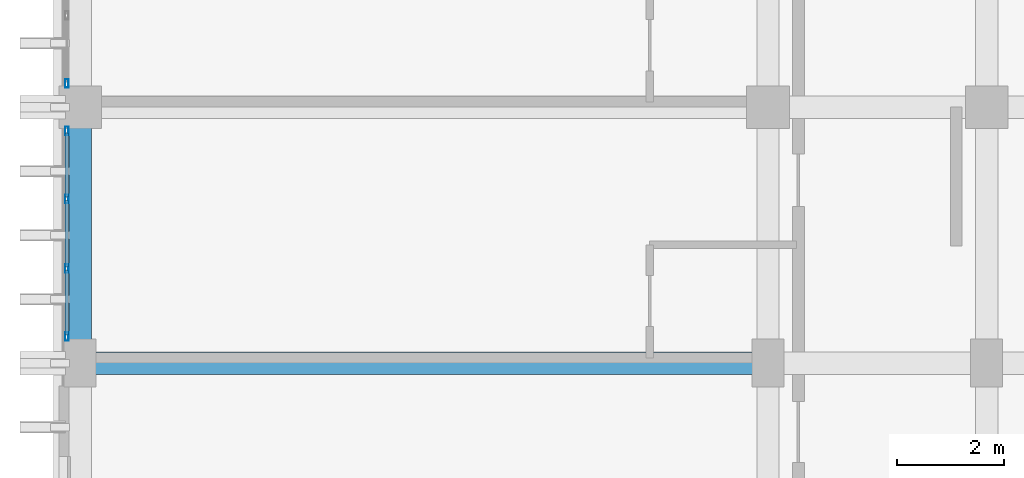
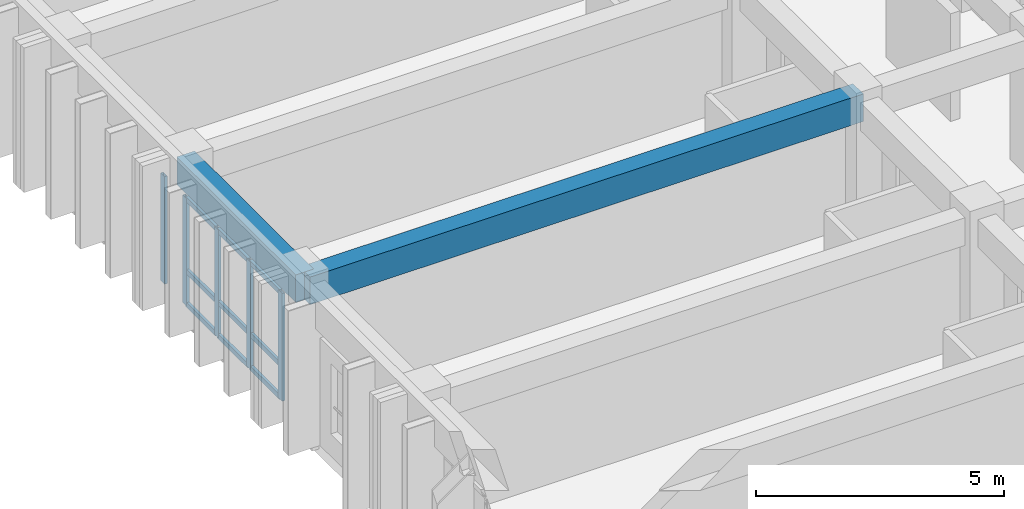
# One storey, part 13 of 82: 14 members, 2 beams, 2 elements without a shape of their own.
"""IFC4 building model written with IfcOpenShell, lengths in metres."""

from ifc_helpers import new_model, si_unit, direction, frame, origin, origin_2d, place, context, subcontext, project, spatial, rectangle, hollow_rectangle, extrude, material, layer, layer_set, material_profile, profile_set, type_object, element, aggregate, save


model = new_model("IFC4")

# Units and contexts
model_context = context("Model", 3, precision=1e-05, world=origin(), true_north=direction((0.0, 1.0)))
body_context = subcontext(model_context, "Body", "Model", "MODEL_VIEW")
ifc_project = project(units=[si_unit("LENGTHUNIT", "METRE"), si_unit("AREAUNIT", "SQUARE_METRE"), si_unit("VOLUMEUNIT", "CUBIC_METRE"), si_unit("PLANEANGLEUNIT", "RADIAN"), si_unit("MASSUNIT", "GRAM", prefix="KILO")], contexts=[model_context])

# Site, building, storey
site_placement = place(None, origin())
site = spatial("IfcSite", under=ifc_project, at=site_placement, CompositionType="ELEMENT")
building_placement = place(site_placement, origin())
building = spatial("IfcBuilding", under=site, at=building_placement, Name="Nakhvara Creek Congress Hotel", CompositionType="ELEMENT")
storey_placement = place(building_placement, frame((0.0, 0.0, 21.0)))
storey = spatial("IfcBuildingStorey", under=building, at=storey_placement, Name="L04", CompositionType="ELEMENT", Elevation=21.0)

# Beams
ifc_material_1 = material(Name="Concrete C40/50", Category="concrete")
ifc_material_profile_1 = material_profile(ifc_material_1, rectangle(XDim=0.419921875, YDim=0.679931640625, at=origin_2d()), Name="RC-BM 420x680", Category="LoadBearing")
ifc_profile_set_1 = profile_set([ifc_material_profile_1], Name="Concrete C40/50")
beam_type = type_object("IfcBeamType", Name="BM-RC-420X680", PredefinedType="BEAM", material=ifc_profile_set_1)
beam_1_placement = place(storey_placement, frame((149.449951171875, 43.199951171875, 3.0), z_axis=(0.0, 1.0, 0.0), x_axis=(-1.0, 0.0, 0.0)))
element("IfcBeam", 1, at=beam_1_placement, inside=storey, type_object=beam_type, Name="Beam B11-L04-1918", PredefinedType="BEAM", context=body_context, shape_type="SweptSolid", body=[
    extrude(rectangle(XDim=0.419921875, YDim=0.679931640625, at=origin_2d()), origin(), (0.0, 0.0, 1.0), 4.800048828125),
])
beam_2_placement = place(storey_placement, frame((149.449951171875, 43.199951171875, 3.0), z_axis=(1.0, 0.0, 0.0), x_axis=(0.0, 1.0, 0.0)))
element("IfcBeam", 2, at=beam_2_placement, inside=storey, type_object=beam_type, Name="Beam B11-L04-2031", PredefinedType="BEAM", context=body_context, shape_type="SweptSolid", body=[
    extrude(rectangle(XDim=0.419921875, YDim=0.679931640625, at=origin_2d()), origin(), (0.0, 0.0, 1.0), 12.900146484375),
])

# Curtain wall, members
ifc_material_2 = material(Name="Bronze-anodised aluminium AW-6063-T6 and double-silver low-E glass", Category="aluminium")
ifc_layer = layer(ifc_material_2, 0.199951171875)
ifc_layer_set = layer_set([ifc_layer], Name="Bronze-anodised aluminium AW-6063-T6 and double-silver low-E glass")
curtain_wall_type = type_object("IfcCurtainWallType", Name="CW-HTL-UNIT", PredefinedType="USERDEFINED", material=ifc_layer_set)
curtain_wall_1_placement = place(storey_placement, origin())
curtain_wall_1 = element("IfcCurtainWall", 3, at=curtain_wall_1_placement, inside=storey, type_object=curtain_wall_type, Name="Curtain Wall CW179", ObjectType="UNITISED", PredefinedType="USERDEFINED")
ifc_material_3 = material(Name="Bronze-anodised aluminium AW-6063-T6", Category="aluminium")
ifc_material_profile_2 = material_profile(ifc_material_3, hollow_rectangle(XDim=0.06494140625, YDim=0.159912109375, WallThickness=0.00390625, at=origin_2d()), Name="ALU-MULL 65x160x4", Category="LoadBearing")
ifc_profile_set_2 = profile_set([ifc_material_profile_2], Name="Bronze-anodised aluminium AW-6063-T6")
member_type_1 = type_object("IfcMemberType", Name="CW-MULL-160", PredefinedType="MULLION", material=ifc_profile_set_2)
member_1_placement = place(storey_placement, frame((149.199951171875, 43.697509765625, 0.0), z_axis=(0.0, 0.0, 1.0), x_axis=(-1.0, 0.0, 0.0)))
member_1 = element("IfcMember", 4, at=member_1_placement, type_object=member_type_1, Name="CW179 mullion 1", PredefinedType="MULLION", context=body_context, shape_type="SweptSolid", body=[
    extrude(hollow_rectangle(XDim=0.06494140625, YDim=0.159912109375, WallThickness=0.00390625, at=origin_2d()), origin(), (0.0, 0.0, 1.0), 2.652099609375),
])
member_2_placement = place(storey_placement, frame((149.199951171875, 44.9716796875, 0.0), z_axis=(0.0, 0.0, 1.0), x_axis=(-1.0, 0.0, 0.0)))
member_2 = element("IfcMember", 5, at=member_2_placement, type_object=member_type_1, Name="CW179 mullion 2", PredefinedType="MULLION", context=body_context, shape_type="SweptSolid", body=[
    extrude(hollow_rectangle(XDim=0.06494140625, YDim=0.159912109375, WallThickness=0.00390625, at=origin_2d()), origin(), (0.0, 0.0, 1.0), 2.652099609375),
])
member_3_placement = place(storey_placement, frame((149.199951171875, 46.2783203125, 0.0), z_axis=(0.0, 0.0, 1.0), x_axis=(-1.0, 0.0, 0.0)))
member_3 = element("IfcMember", 6, at=member_3_placement, type_object=member_type_1, Name="CW179 mullion 3", PredefinedType="MULLION", context=body_context, shape_type="SweptSolid", body=[
    extrude(hollow_rectangle(XDim=0.06494140625, YDim=0.159912109375, WallThickness=0.00390625, at=origin_2d()), origin(), (0.0, 0.0, 1.0), 2.652099609375),
])
member_4_placement = place(storey_placement, frame((149.199951171875, 47.552490234375, 0.0), z_axis=(0.0, 0.0, 1.0), x_axis=(-1.0, 0.0, 0.0)))
member_4 = element("IfcMember", 7, at=member_4_placement, type_object=member_type_1, Name="CW179 mullion 4", PredefinedType="MULLION", context=body_context, shape_type="SweptSolid", body=[
    extrude(hollow_rectangle(XDim=0.06494140625, YDim=0.159912109375, WallThickness=0.00390625, at=origin_2d()), origin(), (0.0, 0.0, 1.0), 2.652099609375),
])

# Curtain wall, member
curtain_wall_2_placement = place(storey_placement, origin())
curtain_wall_2 = element("IfcCurtainWall", 8, at=curtain_wall_2_placement, inside=storey, type_object=curtain_wall_type, Name="Curtain Wall CW181", ObjectType="UNITISED", PredefinedType="USERDEFINED")
member_5_placement = place(storey_placement, frame((149.199951171875, 48.447509765625, 0.0), z_axis=(0.0, 0.0, 1.0), x_axis=(-1.0, 0.0, 0.0)))
member_5 = element("IfcMember", 9, at=member_5_placement, type_object=member_type_1, Name="CW181 mullion 1", PredefinedType="MULLION", context=body_context, shape_type="SweptSolid", body=[
    extrude(hollow_rectangle(XDim=0.06494140625, YDim=0.159912109375, WallThickness=0.00390625, at=origin_2d()), origin(), (0.0, 0.0, 1.0), 2.652099609375),
])
aggregate(curtain_wall_2, [member_5])

# Member
ifc_material_profile_3 = material_profile(ifc_material_3, hollow_rectangle(XDim=0.06494140625, YDim=0.1201171875, WallThickness=0.00390625, at=origin_2d()), Name="ALU-TRAN 65x120x4", Category="LoadBearing")
ifc_profile_set_3 = profile_set([ifc_material_profile_3], Name="Bronze-anodised aluminium AW-6063-T6")
member_type_2 = type_object("IfcMemberType", Name="CW-TRAN-120", PredefinedType="USERDEFINED", material=ifc_profile_set_3)
member_6_placement = place(storey_placement, frame((149.199951171875, 43.72998046875, 0.032470703125), z_axis=(0.0, 1.0, 0.0), x_axis=(-1.0, 0.0, 0.0)))
member_6 = element("IfcMember", 10, at=member_6_placement, type_object=member_type_2, Name="CW179 transom 1.1", ObjectType="TRANSOM", PredefinedType="USERDEFINED", context=body_context, shape_type="SweptSolid", body=[
    extrude(hollow_rectangle(XDim=0.06494140625, YDim=0.1201171875, WallThickness=0.00390625, at=origin_2d()), origin(), (0.0, 0.0, 1.0), 1.209228515625),
])

member_7_placement = place(storey_placement, frame((149.199951171875, 43.72998046875, 0.85009765625), z_axis=(0.0, 1.0, 0.0), x_axis=(-1.0, 0.0, 0.0)))
member_7 = element("IfcMember", 11, at=member_7_placement, type_object=member_type_2, Name="CW179 transom 1.2", ObjectType="TRANSOM", PredefinedType="USERDEFINED", context=body_context, shape_type="SweptSolid", body=[
    extrude(hollow_rectangle(XDim=0.06494140625, YDim=0.1201171875, WallThickness=0.00390625, at=origin_2d()), origin(), (0.0, 0.0, 1.0), 1.209228515625),
])

member_8_placement = place(storey_placement, frame((149.199951171875, 43.72998046875, 2.619384765625), z_axis=(0.0, 1.0, 0.0), x_axis=(-1.0, 0.0, 0.0)))
member_8 = element("IfcMember", 12, at=member_8_placement, type_object=member_type_2, Name="CW179 transom 1.3", ObjectType="TRANSOM", PredefinedType="USERDEFINED", context=body_context, shape_type="SweptSolid", body=[
    extrude(hollow_rectangle(XDim=0.06494140625, YDim=0.1201171875, WallThickness=0.00390625, at=origin_2d()), origin(), (0.0, 0.0, 1.0), 1.209228515625),
])

member_9_placement = place(storey_placement, frame((149.199951171875, 45.004150390625, 0.032470703125), z_axis=(0.0, 1.0, 0.0), x_axis=(-1.0, 0.0, 0.0)))
member_9 = element("IfcMember", 13, at=member_9_placement, type_object=member_type_2, Name="CW179 transom 2.1", ObjectType="TRANSOM", PredefinedType="USERDEFINED", context=body_context, shape_type="SweptSolid", body=[
    extrude(hollow_rectangle(XDim=0.06494140625, YDim=0.1201171875, WallThickness=0.00390625, at=origin_2d()), origin(), (0.0, 0.0, 1.0), 1.24169921875),
])

member_10_placement = place(storey_placement, frame((149.199951171875, 45.004150390625, 0.85009765625), z_axis=(0.0, 1.0, 0.0), x_axis=(-1.0, 0.0, 0.0)))
member_10 = element("IfcMember", 14, at=member_10_placement, type_object=member_type_2, Name="CW179 transom 2.2", ObjectType="TRANSOM", PredefinedType="USERDEFINED", context=body_context, shape_type="SweptSolid", body=[
    extrude(hollow_rectangle(XDim=0.06494140625, YDim=0.1201171875, WallThickness=0.00390625, at=origin_2d()), origin(), (0.0, 0.0, 1.0), 1.24169921875),
])

member_11_placement = place(storey_placement, frame((149.199951171875, 45.004150390625, 2.619384765625), z_axis=(0.0, 1.0, 0.0), x_axis=(-1.0, 0.0, 0.0)))
member_11 = element("IfcMember", 15, at=member_11_placement, type_object=member_type_2, Name="CW179 transom 2.3", ObjectType="TRANSOM", PredefinedType="USERDEFINED", context=body_context, shape_type="SweptSolid", body=[
    extrude(hollow_rectangle(XDim=0.06494140625, YDim=0.1201171875, WallThickness=0.00390625, at=origin_2d()), origin(), (0.0, 0.0, 1.0), 1.24169921875),
])

member_12_placement = place(storey_placement, frame((149.199951171875, 46.310791015625, 0.032470703125), z_axis=(0.0, 1.0, 0.0), x_axis=(-1.0, 0.0, 0.0)))
member_12 = element("IfcMember", 16, at=member_12_placement, type_object=member_type_2, Name="CW179 transom 3.1", ObjectType="TRANSOM", PredefinedType="USERDEFINED", context=body_context, shape_type="SweptSolid", body=[
    extrude(hollow_rectangle(XDim=0.06494140625, YDim=0.1201171875, WallThickness=0.00390625, at=origin_2d()), origin(), (0.0, 0.0, 1.0), 1.209228515625),
])

member_13_placement = place(storey_placement, frame((149.199951171875, 46.310791015625, 0.85009765625), z_axis=(0.0, 1.0, 0.0), x_axis=(-1.0, 0.0, 0.0)))
member_13 = element("IfcMember", 17, at=member_13_placement, type_object=member_type_2, Name="CW179 transom 3.2", ObjectType="TRANSOM", PredefinedType="USERDEFINED", context=body_context, shape_type="SweptSolid", body=[
    extrude(hollow_rectangle(XDim=0.06494140625, YDim=0.1201171875, WallThickness=0.00390625, at=origin_2d()), origin(), (0.0, 0.0, 1.0), 1.209228515625),
])

member_14_placement = place(storey_placement, frame((149.199951171875, 46.310791015625, 2.619384765625), z_axis=(0.0, 1.0, 0.0), x_axis=(-1.0, 0.0, 0.0)))
member_14 = element("IfcMember", 18, at=member_14_placement, type_object=member_type_2, Name="CW179 transom 3.3", ObjectType="TRANSOM", PredefinedType="USERDEFINED", context=body_context, shape_type="SweptSolid", body=[
    extrude(hollow_rectangle(XDim=0.06494140625, YDim=0.1201171875, WallThickness=0.00390625, at=origin_2d()), origin(), (0.0, 0.0, 1.0), 1.209228515625),
])

aggregate(curtain_wall_1, [member_1, member_2, member_3, member_4, member_6, member_7, member_8, member_9, member_10, member_11, member_12, member_13, member_14])

save(model, "model.ifc")
